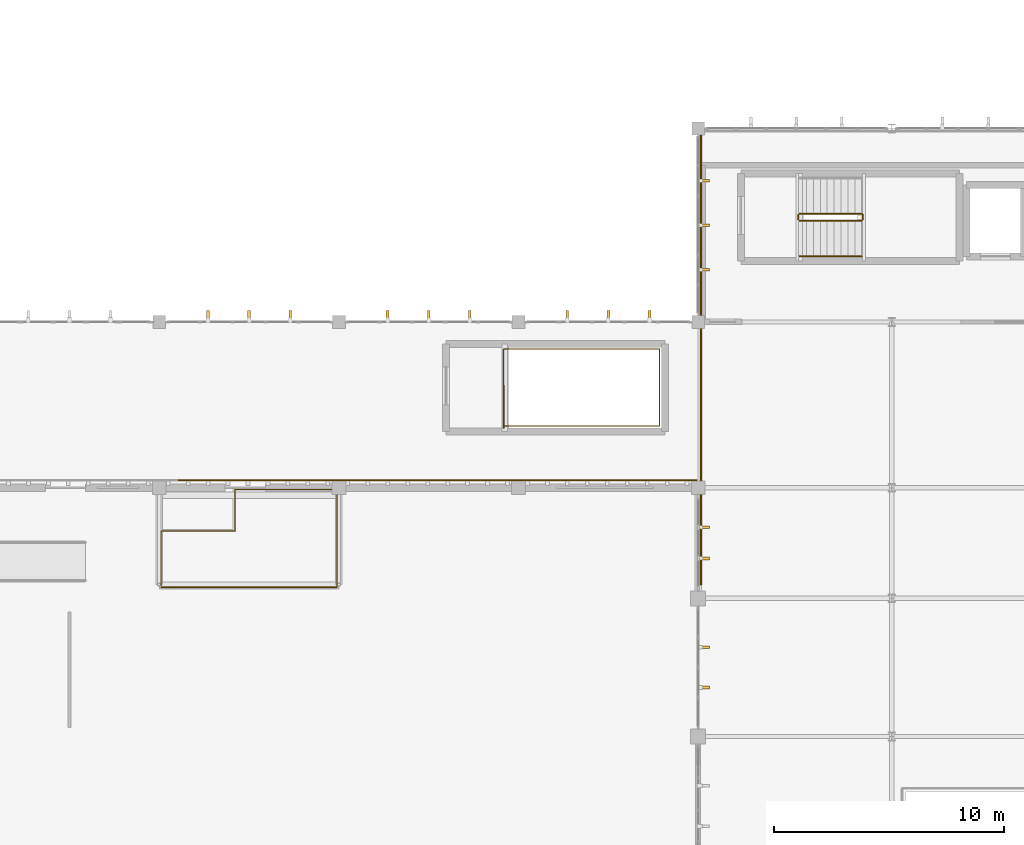
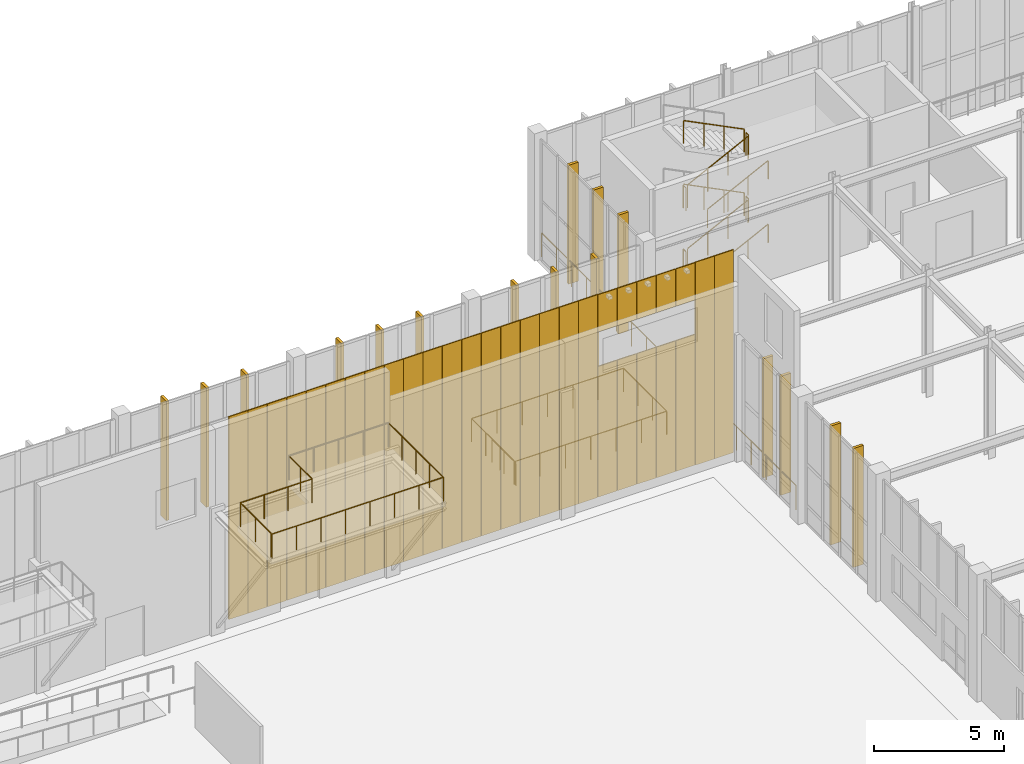
# One storey, part 100 of 105: 47 coverings, 14 railings.
"""IFC4 building model written with IfcOpenShell, lengths in metres."""

import ifcopenshell
import ifcopenshell.guid

model = None  # the IFC model being written
_history = None  # IfcOwnerHistory: only IFC2X3 demands one
_inside = {}  # id of a spatial element -> (the spatial element, [elements in it])
_under = {}  # id of a project, library or spatial element -> (it, [spatial elements below it])
_declared = {}  # id of a project -> (the project, [libraries it declares])
_typed = {}  # id of a type object -> (the type object, [elements of that type])
_made_of = {}  # id of a material, layer set ... -> (it, [elements and type objects made of it])


def new_model(schema):
    """Start an empty IFC model of exactly this schema.

    Asked for "IFC4X3", IfcOpenShell would pick the latest addendum, in which some entities
    have other attributes; the version numbers below select the first issue.
    IFC2X3 requires an IfcOwnerHistory on every rooted entity: one is made here for all.
    """
    global model, _history
    if schema == "IFC4X3":
        model = ifcopenshell.file(schema_version=(4, 3, 0, 0))
    else:
        model = ifcopenshell.file(schema=schema)
    _inside.clear()
    _under.clear()
    _declared.clear()
    _typed.clear()
    _made_of.clear()
    _history = None
    if model.schema == "IFC2X3":
        org = make("IfcOrganization", Name="unknown")
        user = make(
            "IfcPersonAndOrganization",
            ThePerson=make("IfcPerson", FamilyName="unknown"),
            TheOrganization=org,
        )
        app = make(
            "IfcApplication",
            ApplicationDeveloper=org,
            Version="unknown",
            ApplicationFullName="unknown",
            ApplicationIdentifier="unknown",
        )
        _history = make(
            "IfcOwnerHistory",
            OwningUser=user,
            OwningApplication=app,
            ChangeAction="ADDED",
            CreationDate=0,
        )
    return model


def make(cls, **values):
    """One entity of the class cls with the attributes given. An attribute that is None is left unset."""
    return model.create_entity(
        cls, **{name: value for name, value in values.items() if value is not None}
    )


def rooted(cls, **values):
    """An entity with a GlobalId (a new one), such as an element, a storey or a relation."""
    return make(cls, GlobalId=ifcopenshell.guid.new(), OwnerHistory=_history, **values)


def si_unit(unit_type, name, prefix=None):
    """IfcSIUnit, for example si_unit("LENGTHUNIT", "METRE", prefix="MILLI")."""
    return make("IfcSIUnit", UnitType=unit_type, Prefix=prefix, Name=name)


def assignment(units):
    """IfcUnitAssignment: the units of a project."""
    return None if units is None else make("IfcUnitAssignment", Units=units)


def point(xyz):
    """IfcCartesianPoint."""
    return None if xyz is None else make("IfcCartesianPoint", Coordinates=xyz)


def direction(xyz):
    """IfcDirection."""
    return None if xyz is None else make("IfcDirection", DirectionRatios=xyz)


def frame(location, z_axis=None, x_axis=None):
    """IfcAxis2Placement3D, a coordinate frame: its origin and axes. An axis left out is left unset."""
    return make(
        "IfcAxis2Placement3D",
        Location=point(location),
        Axis=direction(z_axis),
        RefDirection=direction(x_axis),
    )


def frame_2d(location, x_axis=None):
    """IfcAxis2Placement2D, a coordinate frame in the plane: its origin and x axis."""
    return make(
        "IfcAxis2Placement2D", Location=point(location), RefDirection=direction(x_axis)
    )


def origin():
    """The frame at (0, 0, 0) with its axes left unset."""
    return frame((0.0, 0.0, 0.0))


def origin_2d():
    """The frame at (0, 0) in the plane with its x axis left unset."""
    return frame_2d((0.0, 0.0))


def place(relative_to, where):
    """IfcLocalPlacement: puts the frame where relative to a parent placement (None: the world)."""
    return make(
        "IfcLocalPlacement", PlacementRelTo=relative_to, RelativePlacement=where
    )


def context(
    kind, dimensions, precision=None, world=None, true_north=None, identifier=None
):
    """IfcGeometricRepresentationContext, for example the 3D "Model" context."""
    return make(
        "IfcGeometricRepresentationContext",
        ContextIdentifier=identifier,
        ContextType=kind,
        CoordinateSpaceDimension=dimensions,
        Precision=precision,
        WorldCoordinateSystem=world,
        TrueNorth=true_north,
    )


def subcontext(parent, identifier, kind, view, scale=None):
    """IfcGeometricRepresentationSubContext, for example "Body" below "Model"."""
    return make(
        "IfcGeometricRepresentationSubContext",
        ContextIdentifier=identifier,
        ContextType=kind,
        ParentContext=parent,
        TargetScale=scale,
        TargetView=view,
    )


def project(units=None, contexts=None):
    """IfcProject with its units and contexts."""
    return rooted(
        "IfcProject",
        Name="project",
        RepresentationContexts=contexts,
        UnitsInContext=assignment(units),
    )


def spatial(cls, under=None, at=None, **own):
    """A site, building, storey or space (cls), placed at a placement, below another one or the project."""
    s = rooted(cls, ObjectPlacement=at, **own)
    if under is not None:
        _under.setdefault(under.id(), (under, []))[1].append(s)
    return s


def profile(cls, at=None, kind="AREA", **sizes):
    """A parametric profile (cls). Its sizes go by their IFC names, for example OverallWidth=200.0."""
    return make(cls, ProfileType=kind, Position=at, **sizes)


def rectangle(**sizes):
    """IfcRectangleProfileDef."""
    return profile("IfcRectangleProfileDef", **sizes)


def circle(**sizes):
    """IfcCircleProfileDef."""
    return profile("IfcCircleProfileDef", **sizes)


def extrude(swept, where, along, depth):
    """IfcExtrudedAreaSolid: the profile swept, set in the frame where, extruded along a direction by depth."""
    return make(
        "IfcExtrudedAreaSolid",
        SweptArea=swept,
        Position=where,
        ExtrudedDirection=direction(along),
        Depth=depth,
    )


def shape(context_of_items, identifier, shape_type, items):
    """IfcShapeRepresentation: the items that make up one representation, for example the "Body"."""
    return make(
        "IfcShapeRepresentation",
        ContextOfItems=context_of_items,
        RepresentationIdentifier=identifier,
        RepresentationType=shape_type,
        Items=items,
    )


def material(Name=None, Category=None):
    """IfcMaterial."""
    return make("IfcMaterial", Name=Name, Category=Category)


def layer(
    of_material, thickness, ventilated=None, Name=None, Category=None, Priority=None
):
    """IfcMaterialLayer: one layer of a wall or slab, of a material (None: an air gap)."""
    return make(
        "IfcMaterialLayer",
        Material=of_material,
        LayerThickness=thickness,
        IsVentilated=ventilated,
        Name=Name,
        Category=Category,
        Priority=Priority,
    )


def layer_set(layers, Name=None):
    """IfcMaterialLayerSet."""
    return make("IfcMaterialLayerSet", MaterialLayers=layers, LayerSetName=Name)


def made_of(thing, what):
    """Note that an element or type object is made of a material, layer set ...; save() writes the relation."""
    if what is not None:
        _made_of.setdefault(what.id(), (what, []))[1].append(thing)
    return thing


def type_object(cls, material=None, **own):
    """A type object (cls), such as IfcWallType, which elements share."""
    return made_of(rooted(cls, **own), material)


def element(
    cls,
    number,
    at=None,
    inside=None,
    cuts=None,
    type_object=None,
    material=None,
    context=None,
    identifier="Body",
    shape_type=None,
    held_by="IfcProductDefinitionShape",
    body=None,
    shapes=None,
    **own,
):
    """One element of the class cls, such as IfcWall. Its Tag is "e" and its number.

    at: its placement. inside: the storey or other place that contains it. cuts: it is an
    opening in that element (IfcRelVoidsElement). A single representation is given by context,
    identifier, shape_type and body (its items); several are given by shapes. held_by: the class
    of the entity that holds the representations. save() writes the other relations.
    """
    e = rooted(cls, Tag="e%d" % number, ObjectPlacement=at, **own)
    if body is not None:
        shapes = [shape(context, identifier, shape_type, body)]
    if shapes is not None:
        e.Representation = make(held_by, Representations=shapes)
    if inside is not None:
        _inside.setdefault(inside.id(), (inside, []))[1].append(e)
    if cuts is not None:
        rooted(
            "IfcRelVoidsElement", RelatingBuildingElement=cuts, RelatedOpeningElement=e
        )
    if type_object is not None:
        _typed.setdefault(type_object.id(), (type_object, []))[1].append(e)
    return made_of(e, material)


def aggregate(whole, parts):
    """IfcRelAggregates: a whole, such as a stair, and the parts it consists of."""
    return rooted("IfcRelAggregates", RelatingObject=whole, RelatedObjects=parts)


def save(model, path):
    """Write the relations noted so far, then the file.

    IfcRelAggregates (storeys below a building ...), IfcRelContainedInSpatialStructure (elements
    in a storey), IfcRelDefinesByType, IfcRelAssociatesMaterial and IfcRelDeclares: one each for
    every whole, place, type object, material and project.
    """
    for whole, parts in _under.values():
        aggregate(whole, parts)
    for where, things in _inside.values():
        rooted(
            "IfcRelContainedInSpatialStructure",
            RelatedElements=things,
            RelatingStructure=where,
        )
    for kind, things in _typed.values():
        rooted("IfcRelDefinesByType", RelatedObjects=things, RelatingType=kind)
    for what, things in _made_of.values():
        rooted("IfcRelAssociatesMaterial", RelatedObjects=things, RelatingMaterial=what)
    for by, libraries in _declared.values():
        rooted("IfcRelDeclares", RelatingContext=by, RelatedDefinitions=libraries)
    model.write(path)


model = new_model("IFC4")

# Units and contexts
model_context = context("Model", 3, precision=1e-05, world=origin(), true_north=direction((0.0, 1.0)))
body_context = subcontext(model_context, "Body", "Model", "MODEL_VIEW")
ifc_project = project(units=[si_unit("LENGTHUNIT", "METRE"), si_unit("AREAUNIT", "SQUARE_METRE"), si_unit("VOLUMEUNIT", "CUBIC_METRE"), si_unit("PLANEANGLEUNIT", "RADIAN"), si_unit("MASSUNIT", "GRAM", prefix="KILO")], contexts=[model_context])

# Site, building, storey
site_placement = place(None, origin())
site = spatial("IfcSite", under=ifc_project, at=site_placement, CompositionType="ELEMENT")
building_placement = place(site_placement, origin())
building = spatial("IfcBuilding", under=site, at=building_placement, Name="Tizgana Railside Sports Hall", CompositionType="ELEMENT")
storey_placement = place(building_placement, frame((0.0, 0.0, 6.0)))
storey = spatial("IfcBuildingStorey", under=building, at=storey_placement, Name="L01", CompositionType="ELEMENT", Elevation=6.0)

# Coverings
ifc_material_1 = material(Name="Glulam GL28h", Category="wood")
ifc_layer_1 = layer(ifc_material_1, 0.139892578125, Name="Glulam GL28h")
ifc_layer_set_1 = layer_set([ifc_layer_1], Name="Glulam GL28h")
covering_type_1 = type_object("IfcCoveringType", Name="Mass-Timber Brise-Soleil & Pergola Fin", PredefinedType="CLADDING", material=ifc_layer_set_1)
for number, where, z_axis, x_axis, name in (
    (1, (33.31494140625, 80.679931640625, 0.0400390625), (0.0, 0.0, 1.0), (1.0, 0.0, 0.0), "L01 Timber Brise-Soleil Fin"),
    (2, (35.10009765625, 80.679931640625, 0.0400390625), (0.0, 0.0, 1.0), (1.0, 0.0, 0.0), "L01 Timber Brise-Soleil Fin"),
    (3, (36.885009765625, 80.679931640625, 0.0400390625), (0.0, 0.0, 1.0), (1.0, 0.0, 0.0), "L01 Timber Brise-Soleil Fin"),
    (4, (41.114990234375, 80.679931640625, 0.0400390625), (0.0, 0.0, 1.0), (1.0, 0.0, 0.0), "L01 Timber Brise-Soleil Fin"),
    (5, (42.89990234375, 80.679931640625, 0.0400390625), (0.0, 0.0, 1.0), (1.0, 0.0, 0.0), "L01 Timber Brise-Soleil Fin"),
    (6, (44.68505859375, 80.679931640625, 0.0400390625), (0.0, 0.0, 1.0), (1.0, 0.0, 0.0), "L01 Timber Brise-Soleil Fin"),
    (7, (48.9150390625, 80.679931640625, 0.0400390625), (0.0, 0.0, 1.0), (1.0, 0.0, 0.0), "L01 Timber Brise-Soleil Fin"),
    (8, (50.699951171875, 80.679931640625, 0.0400390625), (0.0, 0.0, 1.0), (1.0, 0.0, 0.0), "L01 Timber Brise-Soleil Fin"),
    (9, (52.485107421875, 80.679931640625, 0.0400390625), (0.0, 0.0, 1.0), (1.0, 0.0, 0.0), "L01 Timber Brise-Soleil Fin"),
):
    element("IfcCovering", number, at=place(storey_placement, frame(where, z_axis=z_axis, x_axis=x_axis)), inside=storey, type_object=covering_type_1, Name=name, PredefinedType="CLADDING", context=body_context, shape_type="SweptSolid", body=[
        extrude(rectangle(XDim=0.1201171875, YDim=0.43994140625, at=origin_2d()), origin(), (0.0, 0.0, 1.0), 5.6201171875),
    ])
for number, where, z_axis, x_axis, name in (
    (10, (54.8798828125, 66.273193359375, 0.0400390625), (0.0, 0.0, 1.0), (0.0, -1.0, 0.0), "L01 Timber Brise-Soleil Fin"),
    (11, (54.8798828125, 64.526611328125, 0.0400390625), (0.0, 0.0, 1.0), (0.0, -1.0, 0.0), "L01 Timber Brise-Soleil Fin"),
    (12, (54.8798828125, 71.489990234375, 0.0400390625), (0.0, 0.0, 1.0), (0.0, -1.0, 0.0), "L01 Timber Brise-Soleil Fin"),
    (13, (54.8798828125, 70.135009765625, 0.0400390625), (0.0, 0.0, 1.0), (0.0, -1.0, 0.0), "L01 Timber Brise-Soleil Fin"),
    (14, (54.8798828125, 86.534912109375, 0.0400390625), (0.0, 0.0, 1.0), (0.0, -1.0, 0.0), "L01 Timber Brise-Soleil Fin"),
    (15, (54.8798828125, 84.60009765625, 0.0400390625), (0.0, 0.0, 1.0), (0.0, -1.0, 0.0), "L01 Timber Brise-Soleil Fin"),
    (16, (54.8798828125, 82.6650390625, 0.0400390625), (0.0, 0.0, 1.0), (0.0, -1.0, 0.0), "L01 Timber Brise-Soleil Fin"),
):
    element("IfcCovering", number, at=place(storey_placement, frame(where, z_axis=z_axis, x_axis=x_axis)), inside=storey, type_object=covering_type_1, Name=name, PredefinedType="CLADDING", context=body_context, shape_type="SweptSolid", body=[
        extrude(rectangle(XDim=0.1201171875, YDim=0.43994140625, at=origin_2d()), origin(), (0.0, 0.0, 1.0), 5.610107421875),
    ])
ifc_material_2 = material(Name="Anodised perforated aluminium screen", Category="aluminium")
ifc_layer_2 = layer(ifc_material_2, 0.044921875, Name="Anodised perforated aluminium screen")
ifc_layer_set_2 = layer_set([ifc_layer_2], Name="Anodised perforated aluminium screen")
covering_type_2 = type_object("IfcCoveringType", Name="Perforated Aluminium Hall Screen 900", PredefinedType="CLADDING", material=ifc_layer_set_2)
for number, where, z_axis, x_axis, name in (
    (17, (32.4541015625, 73.534912109375, 0.02001953125), (0.0, 0.0, 1.0), (1.0, 0.0, 0.0), "L01 Perforated Screen SCR-0102"),
    (18, (33.3203125, 73.534912109375, 0.02001953125), (0.0, 0.0, 1.0), (1.0, 0.0, 0.0), "L01 Perforated Screen SCR-0103"),
    (19, (34.186279296875, 73.534912109375, 0.02001953125), (0.0, 0.0, 1.0), (1.0, 0.0, 0.0), "L01 Perforated Screen SCR-0104"),
    (20, (35.052490234375, 73.534912109375, 0.02001953125), (0.0, 0.0, 1.0), (1.0, 0.0, 0.0), "L01 Perforated Screen SCR-0105"),
    (21, (35.918701171875, 73.534912109375, 0.02001953125), (0.0, 0.0, 1.0), (1.0, 0.0, 0.0), "L01 Perforated Screen SCR-0106"),
    (22, (36.78466796875, 73.534912109375, 0.02001953125), (0.0, 0.0, 1.0), (1.0, 0.0, 0.0), "L01 Perforated Screen SCR-0107"),
    (23, (37.65087890625, 73.534912109375, 0.02001953125), (0.0, 0.0, 1.0), (1.0, 0.0, 0.0), "L01 Perforated Screen SCR-0108"),
    (24, (38.516845703125, 73.534912109375, 0.02001953125), (0.0, 0.0, 1.0), (1.0, 0.0, 0.0), "L01 Perforated Screen SCR-0109"),
    (25, (39.38818359375, 73.534912109375, 0.02001953125), (0.0, 0.0, 1.0), (1.0, 0.0, 0.0), "L01 Perforated Screen SCR-0123"),
    (26, (40.254150390625, 73.534912109375, 0.02001953125), (0.0, 0.0, 1.0), (1.0, 0.0, 0.0), "L01 Perforated Screen SCR-0124"),
    (27, (41.120361328125, 73.534912109375, 0.02001953125), (0.0, 0.0, 1.0), (1.0, 0.0, 0.0), "L01 Perforated Screen SCR-0125"),
    (28, (41.986328125, 73.534912109375, 0.02001953125), (0.0, 0.0, 1.0), (1.0, 0.0, 0.0), "L01 Perforated Screen SCR-0126"),
    (29, (42.8525390625, 73.534912109375, 0.02001953125), (0.0, 0.0, 1.0), (1.0, 0.0, 0.0), "L01 Perforated Screen SCR-0127"),
    (30, (43.718505859375, 73.534912109375, 0.02001953125), (0.0, 0.0, 1.0), (1.0, 0.0, 0.0), "L01 Perforated Screen SCR-0128"),
    (31, (44.584716796875, 73.534912109375, 0.02001953125), (0.0, 0.0, 1.0), (1.0, 0.0, 0.0), "L01 Perforated Screen SCR-0129"),
    (32, (45.45068359375, 73.534912109375, 0.02001953125), (0.0, 0.0, 1.0), (1.0, 0.0, 0.0), "L01 Perforated Screen SCR-0130"),
    (33, (46.31689453125, 73.534912109375, 0.02001953125), (0.0, 0.0, 1.0), (1.0, 0.0, 0.0), "L01 Perforated Screen SCR-0131"),
    (34, (47.18798828125, 73.534912109375, 0.02001953125), (0.0, 0.0, 1.0), (1.0, 0.0, 0.0), "L01 Perforated Screen SCR-0141"),
    (35, (48.05419921875, 73.534912109375, 0.02001953125), (0.0, 0.0, 1.0), (1.0, 0.0, 0.0), "L01 Perforated Screen SCR-0142"),
):
    element("IfcCovering", number, at=place(storey_placement, frame(where, z_axis=z_axis, x_axis=x_axis)), inside=storey, type_object=covering_type_2, Name=name, PredefinedType="CLADDING", context=body_context, shape_type="SweptSolid", body=[
        extrude(rectangle(XDim=0.84814453125, YDim=0.044921875, at=origin_2d()), origin(), (0.0, 0.0, 1.0), 9.56005859375),
    ])
covering_1_placement = place(storey_placement, frame((48.92041015625, 73.534912109375, 0.0302734375), z_axis=(0.0, 0.0, 1.0), x_axis=(1.0, 0.0, 0.0)))
element("IfcCovering", 36, at=covering_1_placement, inside=storey, type_object=covering_type_2, Name="L01 Perforated Spandrel SCR-0143", PredefinedType="CLADDING", context=body_context, shape_type="SweptSolid", body=[
    extrude(rectangle(XDim=0.84814453125, YDim=0.044921875, at=origin_2d()), origin(), (0.0, 0.0, 1.0), 6.159912109375),
])
covering_2_placement = place(storey_placement, frame((48.92041015625, 73.534912109375, 7.81005859375), z_axis=(0.0, 0.0, 1.0), x_axis=(1.0, 0.0, 0.0)))
element("IfcCovering", 37, at=covering_2_placement, inside=storey, type_object=covering_type_2, Name="L01 Perforated Header SCR-0144", PredefinedType="CLADDING", context=body_context, shape_type="SweptSolid", body=[
    extrude(rectangle(XDim=0.84814453125, YDim=0.044921875, at=origin_2d()), origin(), (0.0, 0.0, 1.0), 1.760009765625),
])
covering_3_placement = place(storey_placement, frame((49.786376953125, 73.534912109375, 0.0302734375), z_axis=(0.0, 0.0, 1.0), x_axis=(1.0, 0.0, 0.0)))
element("IfcCovering", 38, at=covering_3_placement, inside=storey, type_object=covering_type_2, Name="L01 Perforated Spandrel SCR-0145", PredefinedType="CLADDING", context=body_context, shape_type="SweptSolid", body=[
    extrude(rectangle(XDim=0.84814453125, YDim=0.044921875, at=origin_2d()), origin(), (0.0, 0.0, 1.0), 6.159912109375),
])
covering_4_placement = place(storey_placement, frame((49.786376953125, 73.534912109375, 7.81005859375), z_axis=(0.0, 0.0, 1.0), x_axis=(1.0, 0.0, 0.0)))
element("IfcCovering", 39, at=covering_4_placement, inside=storey, type_object=covering_type_2, Name="L01 Perforated Header SCR-0146", PredefinedType="CLADDING", context=body_context, shape_type="SweptSolid", body=[
    extrude(rectangle(XDim=0.84814453125, YDim=0.044921875, at=origin_2d()), origin(), (0.0, 0.0, 1.0), 1.760009765625),
])
covering_5_placement = place(storey_placement, frame((50.652587890625, 73.534912109375, 0.0302734375), z_axis=(0.0, 0.0, 1.0), x_axis=(1.0, 0.0, 0.0)))
element("IfcCovering", 40, at=covering_5_placement, inside=storey, type_object=covering_type_2, Name="L01 Perforated Spandrel SCR-0147", PredefinedType="CLADDING", context=body_context, shape_type="SweptSolid", body=[
    extrude(rectangle(XDim=0.84814453125, YDim=0.044921875, at=origin_2d()), origin(), (0.0, 0.0, 1.0), 6.159912109375),
])
covering_6_placement = place(storey_placement, frame((50.652587890625, 73.534912109375, 7.81005859375), z_axis=(0.0, 0.0, 1.0), x_axis=(1.0, 0.0, 0.0)))
element("IfcCovering", 41, at=covering_6_placement, inside=storey, type_object=covering_type_2, Name="L01 Perforated Header SCR-0148", PredefinedType="CLADDING", context=body_context, shape_type="SweptSolid", body=[
    extrude(rectangle(XDim=0.84814453125, YDim=0.044921875, at=origin_2d()), origin(), (0.0, 0.0, 1.0), 1.760009765625),
])
covering_7_placement = place(storey_placement, frame((51.5185546875, 73.534912109375, 0.0302734375), z_axis=(0.0, 0.0, 1.0), x_axis=(1.0, 0.0, 0.0)))
element("IfcCovering", 42, at=covering_7_placement, inside=storey, type_object=covering_type_2, Name="L01 Perforated Spandrel SCR-0149", PredefinedType="CLADDING", context=body_context, shape_type="SweptSolid", body=[
    extrude(rectangle(XDim=0.84814453125, YDim=0.044921875, at=origin_2d()), origin(), (0.0, 0.0, 1.0), 6.159912109375),
])
covering_8_placement = place(storey_placement, frame((51.5185546875, 73.534912109375, 7.81005859375), z_axis=(0.0, 0.0, 1.0), x_axis=(1.0, 0.0, 0.0)))
element("IfcCovering", 43, at=covering_8_placement, inside=storey, type_object=covering_type_2, Name="L01 Perforated Header SCR-0150", PredefinedType="CLADDING", context=body_context, shape_type="SweptSolid", body=[
    extrude(rectangle(XDim=0.84814453125, YDim=0.044921875, at=origin_2d()), origin(), (0.0, 0.0, 1.0), 1.760009765625),
])
covering_9_placement = place(storey_placement, frame((52.384765625, 73.534912109375, 0.0302734375), z_axis=(0.0, 0.0, 1.0), x_axis=(1.0, 0.0, 0.0)))
element("IfcCovering", 44, at=covering_9_placement, inside=storey, type_object=covering_type_2, Name="L01 Perforated Spandrel SCR-0151", PredefinedType="CLADDING", context=body_context, shape_type="SweptSolid", body=[
    extrude(rectangle(XDim=0.84814453125, YDim=0.044921875, at=origin_2d()), origin(), (0.0, 0.0, 1.0), 6.159912109375),
])
covering_10_placement = place(storey_placement, frame((52.384765625, 73.534912109375, 7.81005859375), z_axis=(0.0, 0.0, 1.0), x_axis=(1.0, 0.0, 0.0)))
element("IfcCovering", 45, at=covering_10_placement, inside=storey, type_object=covering_type_2, Name="L01 Perforated Header SCR-0152", PredefinedType="CLADDING", context=body_context, shape_type="SweptSolid", body=[
    extrude(rectangle(XDim=0.84814453125, YDim=0.044921875, at=origin_2d()), origin(), (0.0, 0.0, 1.0), 1.760009765625),
])
for number, where, z_axis, x_axis, name in (
    (46, (53.250732421875, 73.534912109375, 0.02001953125), (0.0, 0.0, 1.0), (1.0, 0.0, 0.0), "L01 Perforated Screen SCR-0153"),
    (47, (54.116943359375, 73.534912109375, 0.02001953125), (0.0, 0.0, 1.0), (1.0, 0.0, 0.0), "L01 Perforated Screen SCR-0154"),
):
    element("IfcCovering", number, at=place(storey_placement, frame(where, z_axis=z_axis, x_axis=x_axis)), inside=storey, type_object=covering_type_2, Name=name, PredefinedType="CLADDING", context=body_context, shape_type="SweptSolid", body=[
        extrude(rectangle(XDim=0.84814453125, YDim=0.044921875, at=origin_2d()), origin(), (0.0, 0.0, 1.0), 9.56005859375),
    ])

# Railings
ifc_material_3 = material(Name="Galvanised steel sheet", Category="steel")
railing_type_1 = type_object("IfcRailingType", Name="Safety Balustrade Guard 1100", PredefinedType="BALUSTRADE", material=ifc_material_3)
railing_1_placement = place(storey_placement, frame((59.0, 84.800048828125, 0.14990234375)))
element("IfcRailing", 48, at=railing_1_placement, inside=storey, type_object=railing_type_1, Name="L01 ST-04 stair guard 1", PredefinedType="BALUSTRADE", context=body_context, shape_type="SweptSolid", body=[
    extrude(circle(Radius=0.02392578125, at=origin_2d()), frame((0.0, 0.0, 1.076171875), z_axis=(0.894411015155, 0.0, 0.447245945728), x_axis=(0.0, 1.0, 0.0)), (0.0, 0.0, 1.0), 3.018798828125),
    extrude(circle(Radius=0.02099609375, at=origin_2d()), origin(), (0.0, 0.0, 1.0), 1.052001953125),
    extrude(circle(Radius=0.02099609375, at=origin_2d()), frame((0.89990234375, 0.0, 0.449951171875)), (0.0, 0.0, 1.0), 1.052001953125),
    extrude(circle(Radius=0.02099609375, at=origin_2d()), frame((1.800048828125, 0.0, 0.900146484375)), (0.0, 0.0, 1.0), 1.052001953125),
    extrude(circle(Radius=0.02099609375, at=origin_2d()), frame((2.699951171875, 0.0, 1.35009765625)), (0.0, 0.0, 1.0), 1.052001953125),
])
railing_2_placement = place(storey_placement, frame((61.75, 84.85009765625, 1.5)))
element("IfcRailing", 49, at=railing_2_placement, inside=storey, type_object=railing_type_1, Name="L01 ST-04 stair guard 2", PredefinedType="BALUSTRADE", context=body_context, shape_type="SweptSolid", body=[
    extrude(circle(Radius=0.02392578125, at=origin_2d()), frame((0.0, 0.0, 1.076171875), z_axis=(0.0, 1.0, 0.0), x_axis=(-1.0, 0.0, 0.0)), (0.0, 0.0, 1.0), 0.199951171875),
    extrude(circle(Radius=0.02099609375, at=origin_2d()), origin(), (0.0, 0.0, 1.0), 1.052001953125),
    extrude(circle(Radius=0.02099609375, at=origin_2d()), frame((0.0, 0.199951171875, 0.0)), (0.0, 0.0, 1.0), 1.052001953125),
])
railing_3_placement = place(storey_placement, frame((61.699951171875, 85.10009765625, 1.64990234375)))
element("IfcRailing", 50, at=railing_3_placement, inside=storey, type_object=railing_type_1, Name="L01 ST-04 stair guard 3", PredefinedType="BALUSTRADE", context=body_context, shape_type="SweptSolid", body=[
    extrude(circle(Radius=0.02392578125, at=origin_2d()), frame((0.0, 0.0, 1.076171875), z_axis=(-0.894411015155, 0.0, 0.447245945728), x_axis=(0.0, -1.0, 0.0)), (0.0, 0.0, 1.0), 3.018798828125),
    extrude(circle(Radius=0.02099609375, at=origin_2d()), origin(), (0.0, 0.0, 1.0), 1.052001953125),
    extrude(circle(Radius=0.02099609375, at=origin_2d()), frame((-0.89990234375, 0.0, 0.449951171875)), (0.0, 0.0, 1.0), 1.052001953125),
    extrude(circle(Radius=0.02099609375, at=origin_2d()), frame((-1.800048828125, 0.0, 0.900146484375)), (0.0, 0.0, 1.0), 1.052001953125),
    extrude(circle(Radius=0.02099609375, at=origin_2d()), frame((-2.699951171875, 0.0, 1.35009765625)), (0.0, 0.0, 1.0), 1.052001953125),
])
railing_4_placement = place(storey_placement, frame((58.949951171875, 84.85009765625, 3.0)))
element("IfcRailing", 51, at=railing_4_placement, inside=storey, type_object=railing_type_1, Name="L01 ST-04 stair guard 4", PredefinedType="BALUSTRADE", context=body_context, shape_type="SweptSolid", body=[
    extrude(circle(Radius=0.02392578125, at=origin_2d()), frame((0.0, 0.0, 1.076171875), z_axis=(0.0, 1.0, 0.0), x_axis=(-1.0, 0.0, 0.0)), (0.0, 0.0, 1.0), 0.199951171875),
    extrude(circle(Radius=0.02099609375, at=origin_2d()), origin(), (0.0, 0.0, 1.0), 1.052001953125),
    extrude(circle(Radius=0.02099609375, at=origin_2d()), frame((0.0, 0.199951171875, 0.0)), (0.0, 0.0, 1.0), 1.052001953125),
])
railing_5_placement = place(storey_placement, frame((59.0, 84.800048828125, 3.14990234375)))
element("IfcRailing", 52, at=railing_5_placement, inside=storey, type_object=railing_type_1, Name="L01 ST-04 stair guard 5", PredefinedType="BALUSTRADE", context=body_context, shape_type="SweptSolid", body=[
    extrude(circle(Radius=0.02392578125, at=origin_2d()), frame((0.0, 0.0, 1.076171875), z_axis=(0.894411015155, 0.0, 0.447245945728), x_axis=(0.0, 1.0, 0.0)), (0.0, 0.0, 1.0), 3.018798828125),
    extrude(circle(Radius=0.02099609375, at=origin_2d()), origin(), (0.0, 0.0, 1.0), 1.052001953125),
    extrude(circle(Radius=0.02099609375, at=origin_2d()), frame((0.89990234375, 0.0, 0.449951171875)), (0.0, 0.0, 1.0), 1.052001953125),
    extrude(circle(Radius=0.02099609375, at=origin_2d()), frame((1.800048828125, 0.0, 0.900146484375)), (0.0, 0.0, 1.0), 1.052001953125),
    extrude(circle(Radius=0.02099609375, at=origin_2d()), frame((2.699951171875, 0.0, 1.35009765625)), (0.0, 0.0, 1.0), 1.052001953125),
])
railing_6_placement = place(storey_placement, frame((61.75, 84.85009765625, 4.5)))
element("IfcRailing", 53, at=railing_6_placement, inside=storey, type_object=railing_type_1, Name="L01 ST-04 stair guard 6", PredefinedType="BALUSTRADE", context=body_context, shape_type="SweptSolid", body=[
    extrude(circle(Radius=0.02392578125, at=origin_2d()), frame((0.0, 0.0, 1.076171875), z_axis=(0.0, 1.0, 0.0), x_axis=(-1.0, 0.0, 0.0)), (0.0, 0.0, 1.0), 0.199951171875),
    extrude(circle(Radius=0.02099609375, at=origin_2d()), origin(), (0.0, 0.0, 1.0), 1.052001953125),
    extrude(circle(Radius=0.02099609375, at=origin_2d()), frame((0.0, 0.199951171875, 0.0)), (0.0, 0.0, 1.0), 1.052001953125),
])
railing_7_placement = place(storey_placement, frame((61.699951171875, 85.10009765625, 4.64990234375)))
element("IfcRailing", 54, at=railing_7_placement, inside=storey, type_object=railing_type_1, Name="L01 ST-04 stair guard 7", PredefinedType="BALUSTRADE", context=body_context, shape_type="SweptSolid", body=[
    extrude(circle(Radius=0.02392578125, at=origin_2d()), frame((0.0, 0.0, 1.076171875), z_axis=(-0.894411015155, 0.0, 0.447245945728), x_axis=(0.0, -1.0, 0.0)), (0.0, 0.0, 1.0), 3.018798828125),
    extrude(circle(Radius=0.02099609375, at=origin_2d()), origin(), (0.0, 0.0, 1.0), 1.052001953125),
    extrude(circle(Radius=0.02099609375, at=origin_2d()), frame((-0.89990234375, 0.0, 0.449951171875)), (0.0, 0.0, 1.0), 1.052001953125),
    extrude(circle(Radius=0.02099609375, at=origin_2d()), frame((-1.800048828125, 0.0, 0.900146484375)), (0.0, 0.0, 1.0), 1.052001953125),
    extrude(circle(Radius=0.02099609375, at=origin_2d()), frame((-2.699951171875, 0.0, 1.35009765625)), (0.0, 0.0, 1.0), 1.052001953125),
])
railing_8_placement = place(storey_placement, frame((58.949951171875, 84.85009765625, 0.0)))
element("IfcRailing", 55, at=railing_8_placement, inside=storey, type_object=railing_type_1, Name="L01 ST-04 stair guard 8", PredefinedType="BALUSTRADE", context=body_context, shape_type="SweptSolid", body=[
    extrude(circle(Radius=0.02392578125, at=origin_2d()), frame((0.0, 0.0, 1.076171875), z_axis=(0.0, 1.0, 0.0), x_axis=(-1.0, 0.0, 0.0)), (0.0, 0.0, 1.0), 0.199951171875),
    extrude(circle(Radius=0.02099609375, at=origin_2d()), origin(), (0.0, 0.0, 1.0), 1.052001953125),
    extrude(circle(Radius=0.02099609375, at=origin_2d()), frame((0.0, 0.199951171875, 0.0)), (0.0, 0.0, 1.0), 1.052001953125),
])
railing_9_placement = place(storey_placement, frame((46.14990234375, 75.800048828125, 0.0)))
element("IfcRailing", 56, at=railing_9_placement, inside=storey, type_object=railing_type_1, Name="L01 ST-06 top well guard 1", PredefinedType="BALUSTRADE", context=body_context, shape_type="SweptSolid", body=[
    extrude(circle(Radius=0.02392578125, at=origin_2d()), frame((0.0, 0.0, 1.076171875), z_axis=(0.0, 1.0, 0.0), x_axis=(-1.0, 0.0, 0.0)), (0.0, 0.0, 1.0), 1.849853515625),
    extrude(circle(Radius=0.02099609375, at=origin_2d()), origin(), (0.0, 0.0, 1.0), 1.052001953125),
    extrude(circle(Radius=0.02099609375, at=origin_2d()), frame((0.0, 0.9248046875, 0.0)), (0.0, 0.0, 1.0), 1.052001953125),
    extrude(circle(Radius=0.02099609375, at=origin_2d()), frame((0.0, 1.849853515625, 0.0)), (0.0, 0.0, 1.0), 1.052001953125),
])
railing_10_placement = place(storey_placement, frame((46.14990234375, 75.8798828125, 0.0)))
element("IfcRailing", 57, at=railing_10_placement, inside=storey, type_object=railing_type_1, Name="L01 ST-06 Well Guard", PredefinedType="BALUSTRADE", context=body_context, shape_type="SweptSolid", body=[
    extrude(circle(Radius=0.02392578125, at=origin_2d()), frame((0.0, 0.0, 1.09619140625), z_axis=(1.0, 0.0, 0.0), x_axis=(0.0, 1.0, 0.0)), (0.0, 0.0, 1.0), 6.77001953125),
    extrude(circle(Radius=0.02392578125, at=origin_2d()), frame((6.77001953125, 0.0, 1.09619140625), z_axis=(0.0, 1.0, 0.0), x_axis=(-1.0, 0.0, 0.0)), (0.0, 0.0, 1.0), 3.340087890625),
    extrude(circle(Radius=0.02392578125, at=origin_2d()), frame((6.77001953125, 3.340087890625, 1.09619140625), z_axis=(-1.0, 0.0, 0.0), x_axis=(0.0, -1.0, 0.0)), (0.0, 0.0, 1.0), 6.77001953125),
    extrude(circle(Radius=0.02392578125, at=origin_2d()), frame((0.0, 3.340087890625, 1.09619140625), z_axis=(0.0, -1.0, 0.0), x_axis=(1.0, 0.0, 0.0)), (0.0, 0.0, 1.0), 3.280029296875),
    extrude(circle(Radius=0.02099609375, at=origin_2d()), origin(), (0.0, 0.0, 1.0), 1.072021484375),
    extrude(circle(Radius=0.02099609375, at=origin_2d()), frame((1.12841796875, 0.0, 0.0)), (0.0, 0.0, 1.0), 1.072021484375),
    extrude(circle(Radius=0.02099609375, at=origin_2d()), frame((2.256591796875, 0.0, 0.0)), (0.0, 0.0, 1.0), 1.072021484375),
    extrude(circle(Radius=0.02099609375, at=origin_2d()), frame((3.385009765625, 0.0, 0.0)), (0.0, 0.0, 1.0), 1.072021484375),
    extrude(circle(Radius=0.02099609375, at=origin_2d()), frame((4.513427734375, 0.0, 0.0)), (0.0, 0.0, 1.0), 1.072021484375),
    extrude(circle(Radius=0.02099609375, at=origin_2d()), frame((5.6416015625, 0.0, 0.0)), (0.0, 0.0, 1.0), 1.072021484375),
    extrude(circle(Radius=0.02099609375, at=origin_2d()), frame((6.77001953125, 0.0, 0.0)), (0.0, 0.0, 1.0), 1.072021484375),
    extrude(circle(Radius=0.02099609375, at=origin_2d()), frame((6.77001953125, 1.11328125, 0.0)), (0.0, 0.0, 1.0), 1.072021484375),
    extrude(circle(Radius=0.02099609375, at=origin_2d()), frame((6.77001953125, 2.226806640625, 0.0)), (0.0, 0.0, 1.0), 1.072021484375),
    extrude(circle(Radius=0.02099609375, at=origin_2d()), frame((6.77001953125, 3.340087890625, 0.0)), (0.0, 0.0, 1.0), 1.072021484375),
    extrude(circle(Radius=0.02099609375, at=origin_2d()), frame((5.6416015625, 3.340087890625, 0.0)), (0.0, 0.0, 1.0), 1.072021484375),
    extrude(circle(Radius=0.02099609375, at=origin_2d()), frame((4.513427734375, 3.340087890625, 0.0)), (0.0, 0.0, 1.0), 1.072021484375),
    extrude(circle(Radius=0.02099609375, at=origin_2d()), frame((3.385009765625, 3.340087890625, 0.0)), (0.0, 0.0, 1.0), 1.072021484375),
    extrude(circle(Radius=0.02099609375, at=origin_2d()), frame((2.256591796875, 3.340087890625, 0.0)), (0.0, 0.0, 1.0), 1.072021484375),
    extrude(circle(Radius=0.02099609375, at=origin_2d()), frame((1.12841796875, 3.340087890625, 0.0)), (0.0, 0.0, 1.0), 1.072021484375),
    extrude(circle(Radius=0.02099609375, at=origin_2d()), frame((0.0, 3.340087890625, 0.0)), (0.0, 0.0, 1.0), 1.072021484375),
    extrude(circle(Radius=0.02099609375, at=origin_2d()), frame((0.0, 2.246826171875, 0.0)), (0.0, 0.0, 1.0), 1.072021484375),
    extrude(circle(Radius=0.02099609375, at=origin_2d()), frame((0.0, 1.1533203125, 0.0)), (0.0, 0.0, 1.0), 1.072021484375),
    extrude(circle(Radius=0.02099609375, at=origin_2d()), frame((0.0, 0.06005859375, 0.0)), (0.0, 0.0, 1.0), 1.072021484375),
])
ifc_material_4 = material(Name="Brushed stainless steel", Category="steel")
railing_type_2 = type_object("IfcRailingType", Name="Stair & Ramp Wall Handrail 900", PredefinedType="HANDRAIL", material=ifc_material_4)
for number, where, name in (
    (58, (59.0, 83.25, 0.14990234375), "L01 ST-04 stair handrail 1"),
    (59, (59.0, 83.25, 3.14990234375), "L01 ST-04 stair handrail 3"),
):
    element("IfcRailing", number, at=place(storey_placement, frame(where)), inside=storey, type_object=railing_type_2, Name=name, PredefinedType="HANDRAIL", context=body_context, shape_type="SweptSolid", body=[
        extrude(circle(Radius=0.02392578125, at=origin_2d()), frame((0.0, 0.0, 0.8759765625), z_axis=(0.894411015155, 0.0, 0.447245945728), x_axis=(0.0, 1.0, 0.0)), (0.0, 0.0, 1.0), 3.018798828125),
        extrude(circle(Radius=0.02099609375, at=origin_2d()), origin(), (0.0, 0.0, 1.0), 0.851806640625),
        extrude(circle(Radius=0.02099609375, at=origin_2d()), frame((0.89990234375, 0.0, 0.449951171875)), (0.0, 0.0, 1.0), 0.851806640625),
        extrude(circle(Radius=0.02099609375, at=origin_2d()), frame((1.800048828125, 0.0, 0.900146484375)), (0.0, 0.0, 1.0), 0.851806640625),
        extrude(circle(Radius=0.02099609375, at=origin_2d()), frame((2.699951171875, 0.0, 1.35009765625)), (0.0, 0.0, 1.0), 0.851806640625),
    ])
ifc_material_5 = material(Name="Anodised aluminium", Category="aluminium")
railing_type_3 = type_object("IfcRailingType", Name="Terrace & Track Guard 1150", PredefinedType="BALUSTRADE", material=ifc_material_5)
railing_11_placement = place(storey_placement, frame((31.280029296875, 68.8798828125, 6.0)))
element("IfcRailing", 60, at=railing_11_placement, inside=storey, type_object=railing_type_3, Name="L01 V1 Catwalk NE Guard", PredefinedType="BALUSTRADE", context=body_context, shape_type="SweptSolid", body=[
    extrude(circle(Radius=0.02392578125, at=origin_2d()), frame((0.0, 0.0, 1.1259765625), z_axis=(1.0, 0.0, 0.0), x_axis=(0.0, 1.0, 0.0)), (0.0, 0.0, 1.0), 7.639892578125),
    extrude(circle(Radius=0.02392578125, at=origin_2d()), frame((7.639892578125, 0.0, 1.1259765625), z_axis=(0.0, 1.0, 0.0), x_axis=(-1.0, 0.0, 0.0)), (0.0, 0.0, 1.0), 4.240234375),
    extrude(circle(Radius=0.02392578125, at=origin_2d()), frame((7.639892578125, 4.240234375, 1.1259765625), z_axis=(-1.0, 0.0, 0.0), x_axis=(0.0, -1.0, 0.0)), (0.0, 0.0, 1.0), 4.43994140625),
    extrude(circle(Radius=0.02392578125, at=origin_2d()), frame((3.199951171875, 4.240234375, 1.1259765625), z_axis=(0.0, -1.0, 0.0), x_axis=(1.0, 0.0, 0.0)), (0.0, 0.0, 1.0), 1.800048828125),
    extrude(circle(Radius=0.02392578125, at=origin_2d()), frame((3.199951171875, 2.440185546875, 1.1259765625), z_axis=(-1.0, 0.0, 0.0), x_axis=(0.0, -1.0, 0.0)), (0.0, 0.0, 1.0), 3.199951171875),
    extrude(circle(Radius=0.02392578125, at=origin_2d()), frame((0.0, 2.440185546875, 1.1259765625), z_axis=(0.0, -1.0, 0.0), x_axis=(1.0, 0.0, 0.0)), (0.0, 0.0, 1.0), 2.360107421875),
    extrude(circle(Radius=0.02099609375, at=origin_2d()), origin(), (0.0, 0.0, 1.0), 1.101806640625),
    extrude(circle(Radius=0.02099609375, at=origin_2d()), frame((1.09130859375, 0.0, 0.0)), (0.0, 0.0, 1.0), 1.101806640625),
    extrude(circle(Radius=0.02099609375, at=origin_2d()), frame((2.182861328125, 0.0, 0.0)), (0.0, 0.0, 1.0), 1.101806640625),
    extrude(circle(Radius=0.02099609375, at=origin_2d()), frame((3.274169921875, 0.0, 0.0)), (0.0, 0.0, 1.0), 1.101806640625),
    extrude(circle(Radius=0.02099609375, at=origin_2d()), frame((4.36572265625, 0.0, 0.0)), (0.0, 0.0, 1.0), 1.101806640625),
    extrude(circle(Radius=0.02099609375, at=origin_2d()), frame((5.45703125, 0.0, 0.0)), (0.0, 0.0, 1.0), 1.101806640625),
    extrude(circle(Radius=0.02099609375, at=origin_2d()), frame((6.548583984375, 0.0, 0.0)), (0.0, 0.0, 1.0), 1.101806640625),
    extrude(circle(Radius=0.02099609375, at=origin_2d()), frame((7.639892578125, 0.0, 0.0)), (0.0, 0.0, 1.0), 1.101806640625),
    extrude(circle(Radius=0.02099609375, at=origin_2d()), frame((7.639892578125, 1.06005859375, 0.0)), (0.0, 0.0, 1.0), 1.101806640625),
    extrude(circle(Radius=0.02099609375, at=origin_2d()), frame((7.639892578125, 2.1201171875, 0.0)), (0.0, 0.0, 1.0), 1.101806640625),
    extrude(circle(Radius=0.02099609375, at=origin_2d()), frame((7.639892578125, 3.18017578125, 0.0)), (0.0, 0.0, 1.0), 1.101806640625),
    extrude(circle(Radius=0.02099609375, at=origin_2d()), frame((7.639892578125, 4.240234375, 0.0)), (0.0, 0.0, 1.0), 1.101806640625),
    extrude(circle(Radius=0.02099609375, at=origin_2d()), frame((6.52978515625, 4.240234375, 0.0)), (0.0, 0.0, 1.0), 1.101806640625),
    extrude(circle(Radius=0.02099609375, at=origin_2d()), frame((5.419921875, 4.240234375, 0.0)), (0.0, 0.0, 1.0), 1.101806640625),
    extrude(circle(Radius=0.02099609375, at=origin_2d()), frame((4.31005859375, 4.240234375, 0.0)), (0.0, 0.0, 1.0), 1.101806640625),
    extrude(circle(Radius=0.02099609375, at=origin_2d()), frame((3.199951171875, 4.240234375, 0.0)), (0.0, 0.0, 1.0), 1.101806640625),
    extrude(circle(Radius=0.02099609375, at=origin_2d()), frame((3.199951171875, 3.34033203125, 0.0)), (0.0, 0.0, 1.0), 1.101806640625),
    extrude(circle(Radius=0.02099609375, at=origin_2d()), frame((3.199951171875, 2.440185546875, 0.0)), (0.0, 0.0, 1.0), 1.101806640625),
    extrude(circle(Radius=0.02099609375, at=origin_2d()), frame((2.13330078125, 2.440185546875, 0.0)), (0.0, 0.0, 1.0), 1.101806640625),
    extrude(circle(Radius=0.02099609375, at=origin_2d()), frame((1.066650390625, 2.440185546875, 0.0)), (0.0, 0.0, 1.0), 1.101806640625),
    extrude(circle(Radius=0.02099609375, at=origin_2d()), frame((0.0, 2.440185546875, 0.0)), (0.0, 0.0, 1.0), 1.101806640625),
    extrude(circle(Radius=0.02099609375, at=origin_2d()), frame((0.0, 1.26025390625, 0.0)), (0.0, 0.0, 1.0), 1.101806640625),
    extrude(circle(Radius=0.02099609375, at=origin_2d()), frame((0.0, 0.080078125, 0.0)), (0.0, 0.0, 1.0), 1.101806640625),
])
railing_12_placement = place(storey_placement, frame((54.719970703125, 69.0, 0.0)))
element("IfcRailing", 61, at=railing_12_placement, inside=storey, type_object=railing_type_3, Name="L01 Safety Guard GRD-0036", PredefinedType="BALUSTRADE", context=body_context, shape_type="SweptSolid", body=[
    extrude(circle(Radius=0.02392578125, at=origin_2d()), frame((0.0, 0.0, 1.1259765625), z_axis=(0.0, 1.0, 0.0), x_axis=(-1.0, 0.0, 0.0)), (0.0, 0.0, 1.0), 19.64990234375),
    extrude(circle(Radius=0.02099609375, at=origin_2d()), origin(), (0.0, 0.0, 1.0), 1.101806640625),
    extrude(circle(Radius=0.02099609375, at=origin_2d()), frame((0.0, 1.15576171875, 0.0)), (0.0, 0.0, 1.0), 1.101806640625),
    extrude(circle(Radius=0.02099609375, at=origin_2d()), frame((0.0, 2.311767578125, 0.0)), (0.0, 0.0, 1.0), 1.101806640625),
    extrude(circle(Radius=0.02099609375, at=origin_2d()), frame((0.0, 3.467529296875, 0.0)), (0.0, 0.0, 1.0), 1.101806640625),
    extrude(circle(Radius=0.02099609375, at=origin_2d()), frame((0.0, 4.62353515625, 0.0)), (0.0, 0.0, 1.0), 1.101806640625),
    extrude(circle(Radius=0.02099609375, at=origin_2d()), frame((0.0, 5.779296875, 0.0)), (0.0, 0.0, 1.0), 1.101806640625),
    extrude(circle(Radius=0.02099609375, at=origin_2d()), frame((0.0, 6.935302734375, 0.0)), (0.0, 0.0, 1.0), 1.101806640625),
    extrude(circle(Radius=0.02099609375, at=origin_2d()), frame((0.0, 8.091064453125, 0.0)), (0.0, 0.0, 1.0), 1.101806640625),
    extrude(circle(Radius=0.02099609375, at=origin_2d()), frame((0.0, 9.2470703125, 0.0)), (0.0, 0.0, 1.0), 1.101806640625),
    extrude(circle(Radius=0.02099609375, at=origin_2d()), frame((0.0, 10.40283203125, 0.0)), (0.0, 0.0, 1.0), 1.101806640625),
    extrude(circle(Radius=0.02099609375, at=origin_2d()), frame((0.0, 11.558837890625, 0.0)), (0.0, 0.0, 1.0), 1.101806640625),
    extrude(circle(Radius=0.02099609375, at=origin_2d()), frame((0.0, 12.714599609375, 0.0)), (0.0, 0.0, 1.0), 1.101806640625),
    extrude(circle(Radius=0.02099609375, at=origin_2d()), frame((0.0, 13.87060546875, 0.0)), (0.0, 0.0, 1.0), 1.101806640625),
    extrude(circle(Radius=0.02099609375, at=origin_2d()), frame((0.0, 15.0263671875, 0.0)), (0.0, 0.0, 1.0), 1.101806640625),
    extrude(circle(Radius=0.02099609375, at=origin_2d()), frame((0.0, 16.182373046875, 0.0)), (0.0, 0.0, 1.0), 1.101806640625),
    extrude(circle(Radius=0.02099609375, at=origin_2d()), frame((0.0, 17.338134765625, 0.0)), (0.0, 0.0, 1.0), 1.101806640625),
    extrude(circle(Radius=0.02099609375, at=origin_2d()), frame((0.0, 18.494140625, 0.0)), (0.0, 0.0, 1.0), 1.101806640625),
    extrude(circle(Radius=0.02099609375, at=origin_2d()), frame((0.0, 19.64990234375, 0.0)), (0.0, 0.0, 1.0), 1.101806640625),
])

save(model, "model.ifc")
